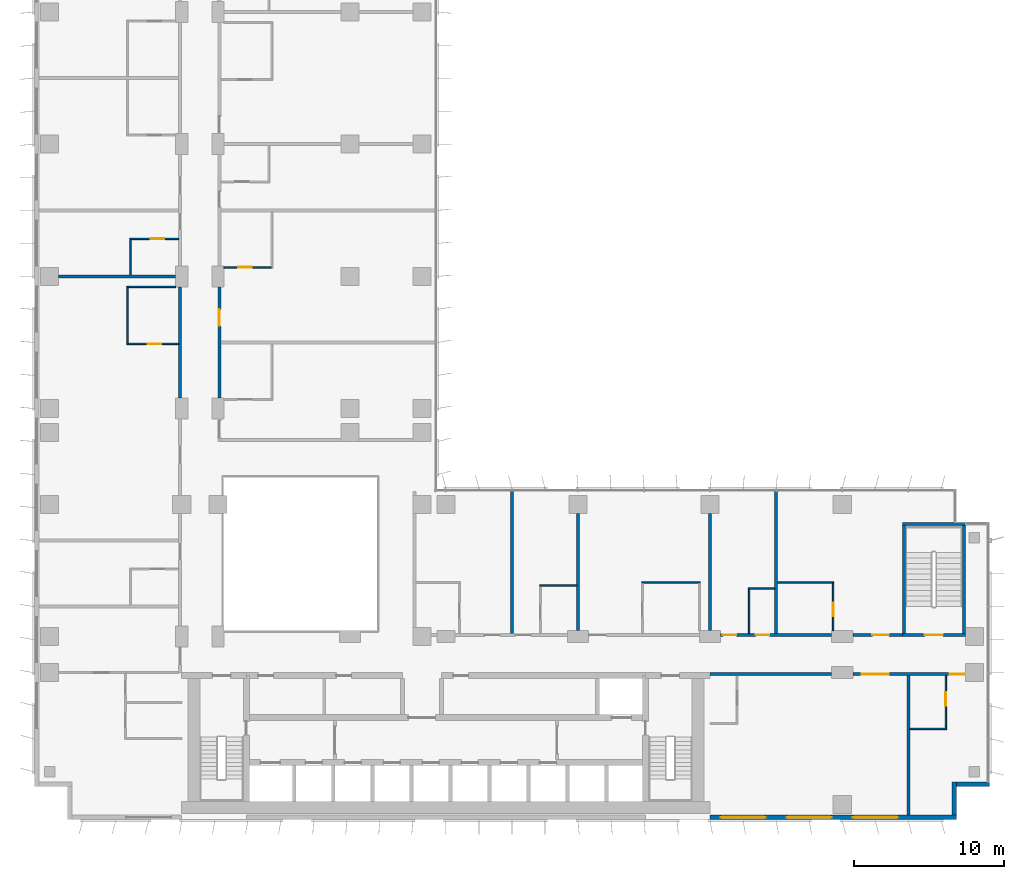
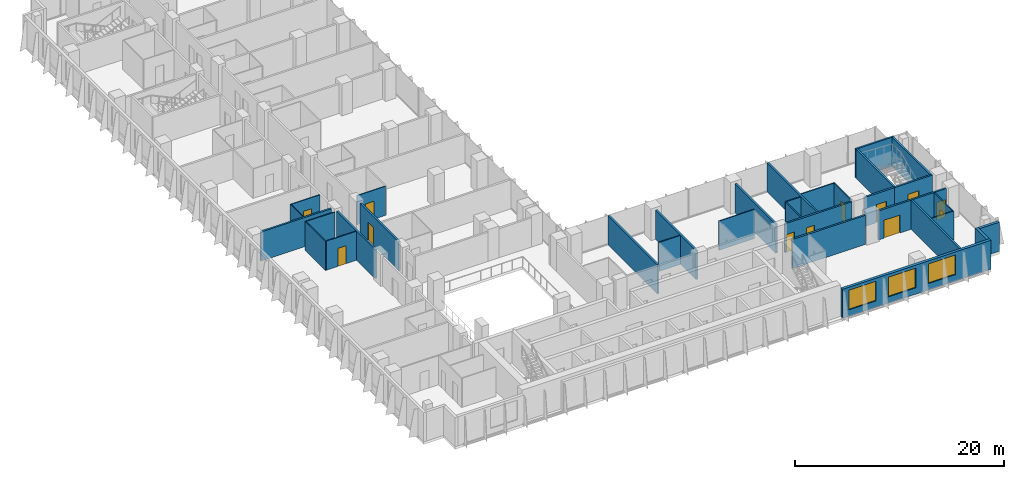
# One storey, part 14 of 22: 33 walls, 12 doors, 3 windows, 15 openings.
"""IFC4 building model written with IfcOpenShell, lengths in metres."""

import ifcopenshell
import ifcopenshell.guid

model = None  # the IFC model being written
_history = None  # IfcOwnerHistory: only IFC2X3 demands one
_inside = {}  # id of a spatial element -> (the spatial element, [elements in it])
_under = {}  # id of a project, library or spatial element -> (it, [spatial elements below it])
_declared = {}  # id of a project -> (the project, [libraries it declares])
_typed = {}  # id of a type object -> (the type object, [elements of that type])
_made_of = {}  # id of a material, layer set ... -> (it, [elements and type objects made of it])


def new_model(schema):
    """Start an empty IFC model of exactly this schema.

    Asked for "IFC4X3", IfcOpenShell would pick the latest addendum, in which some entities
    have other attributes; the version numbers below select the first issue.
    IFC2X3 requires an IfcOwnerHistory on every rooted entity: one is made here for all.
    """
    global model, _history
    if schema == "IFC4X3":
        model = ifcopenshell.file(schema_version=(4, 3, 0, 0))
    else:
        model = ifcopenshell.file(schema=schema)
    _inside.clear()
    _under.clear()
    _declared.clear()
    _typed.clear()
    _made_of.clear()
    _history = None
    if model.schema == "IFC2X3":
        org = make("IfcOrganization", Name="unknown")
        user = make(
            "IfcPersonAndOrganization",
            ThePerson=make("IfcPerson", FamilyName="unknown"),
            TheOrganization=org,
        )
        app = make(
            "IfcApplication",
            ApplicationDeveloper=org,
            Version="unknown",
            ApplicationFullName="unknown",
            ApplicationIdentifier="unknown",
        )
        _history = make(
            "IfcOwnerHistory",
            OwningUser=user,
            OwningApplication=app,
            ChangeAction="ADDED",
            CreationDate=0,
        )
    return model


def make(cls, **values):
    """One entity of the class cls with the attributes given. An attribute that is None is left unset."""
    return model.create_entity(
        cls, **{name: value for name, value in values.items() if value is not None}
    )


def rooted(cls, **values):
    """An entity with a GlobalId (a new one), such as an element, a storey or a relation."""
    return make(cls, GlobalId=ifcopenshell.guid.new(), OwnerHistory=_history, **values)


def si_unit(unit_type, name, prefix=None):
    """IfcSIUnit, for example si_unit("LENGTHUNIT", "METRE", prefix="MILLI")."""
    return make("IfcSIUnit", UnitType=unit_type, Prefix=prefix, Name=name)


def assignment(units):
    """IfcUnitAssignment: the units of a project."""
    return None if units is None else make("IfcUnitAssignment", Units=units)


def point(xyz):
    """IfcCartesianPoint."""
    return None if xyz is None else make("IfcCartesianPoint", Coordinates=xyz)


def direction(xyz):
    """IfcDirection."""
    return None if xyz is None else make("IfcDirection", DirectionRatios=xyz)


def frame(location, z_axis=None, x_axis=None):
    """IfcAxis2Placement3D, a coordinate frame: its origin and axes. An axis left out is left unset."""
    return make(
        "IfcAxis2Placement3D",
        Location=point(location),
        Axis=direction(z_axis),
        RefDirection=direction(x_axis),
    )


def frame_2d(location, x_axis=None):
    """IfcAxis2Placement2D, a coordinate frame in the plane: its origin and x axis."""
    return make(
        "IfcAxis2Placement2D", Location=point(location), RefDirection=direction(x_axis)
    )


def origin():
    """The frame at (0, 0, 0) with its axes left unset."""
    return frame((0.0, 0.0, 0.0))


def place(relative_to, where):
    """IfcLocalPlacement: puts the frame where relative to a parent placement (None: the world)."""
    return make(
        "IfcLocalPlacement", PlacementRelTo=relative_to, RelativePlacement=where
    )


def context(
    kind, dimensions, precision=None, world=None, true_north=None, identifier=None
):
    """IfcGeometricRepresentationContext, for example the 3D "Model" context."""
    return make(
        "IfcGeometricRepresentationContext",
        ContextIdentifier=identifier,
        ContextType=kind,
        CoordinateSpaceDimension=dimensions,
        Precision=precision,
        WorldCoordinateSystem=world,
        TrueNorth=true_north,
    )


def subcontext(parent, identifier, kind, view, scale=None):
    """IfcGeometricRepresentationSubContext, for example "Body" below "Model"."""
    return make(
        "IfcGeometricRepresentationSubContext",
        ContextIdentifier=identifier,
        ContextType=kind,
        ParentContext=parent,
        TargetScale=scale,
        TargetView=view,
    )


def project(units=None, contexts=None):
    """IfcProject with its units and contexts."""
    return rooted(
        "IfcProject",
        Name="project",
        RepresentationContexts=contexts,
        UnitsInContext=assignment(units),
    )


def spatial(cls, under=None, at=None, **own):
    """A site, building, storey or space (cls), placed at a placement, below another one or the project."""
    s = rooted(cls, ObjectPlacement=at, **own)
    if under is not None:
        _under.setdefault(under.id(), (under, []))[1].append(s)
    return s


def profile(cls, at=None, kind="AREA", **sizes):
    """A parametric profile (cls). Its sizes go by their IFC names, for example OverallWidth=200.0."""
    return make(cls, ProfileType=kind, Position=at, **sizes)


def rectangle(**sizes):
    """IfcRectangleProfileDef."""
    return profile("IfcRectangleProfileDef", **sizes)


def extrude(swept, where, along, depth):
    """IfcExtrudedAreaSolid: the profile swept, set in the frame where, extruded along a direction by depth."""
    return make(
        "IfcExtrudedAreaSolid",
        SweptArea=swept,
        Position=where,
        ExtrudedDirection=direction(along),
        Depth=depth,
    )


def shape(context_of_items, identifier, shape_type, items):
    """IfcShapeRepresentation: the items that make up one representation, for example the "Body"."""
    return make(
        "IfcShapeRepresentation",
        ContextOfItems=context_of_items,
        RepresentationIdentifier=identifier,
        RepresentationType=shape_type,
        Items=items,
    )


def material(Name=None, Category=None):
    """IfcMaterial."""
    return make("IfcMaterial", Name=Name, Category=Category)


def layer(
    of_material, thickness, ventilated=None, Name=None, Category=None, Priority=None
):
    """IfcMaterialLayer: one layer of a wall or slab, of a material (None: an air gap)."""
    return make(
        "IfcMaterialLayer",
        Material=of_material,
        LayerThickness=thickness,
        IsVentilated=ventilated,
        Name=Name,
        Category=Category,
        Priority=Priority,
    )


def layer_set(layers, Name=None):
    """IfcMaterialLayerSet."""
    return make("IfcMaterialLayerSet", MaterialLayers=layers, LayerSetName=Name)


def made_of(thing, what):
    """Note that an element or type object is made of a material, layer set ...; save() writes the relation."""
    if what is not None:
        _made_of.setdefault(what.id(), (what, []))[1].append(thing)
    return thing


def type_object(cls, material=None, **own):
    """A type object (cls), such as IfcWallType, which elements share."""
    return made_of(rooted(cls, **own), material)


def element(
    cls,
    number,
    at=None,
    inside=None,
    cuts=None,
    type_object=None,
    material=None,
    context=None,
    identifier="Body",
    shape_type=None,
    held_by="IfcProductDefinitionShape",
    body=None,
    shapes=None,
    **own,
):
    """One element of the class cls, such as IfcWall. Its Tag is "e" and its number.

    at: its placement. inside: the storey or other place that contains it. cuts: it is an
    opening in that element (IfcRelVoidsElement). A single representation is given by context,
    identifier, shape_type and body (its items); several are given by shapes. held_by: the class
    of the entity that holds the representations. save() writes the other relations.
    """
    e = rooted(cls, Tag="e%d" % number, ObjectPlacement=at, **own)
    if body is not None:
        shapes = [shape(context, identifier, shape_type, body)]
    if shapes is not None:
        e.Representation = make(held_by, Representations=shapes)
    if inside is not None:
        _inside.setdefault(inside.id(), (inside, []))[1].append(e)
    if cuts is not None:
        rooted(
            "IfcRelVoidsElement", RelatingBuildingElement=cuts, RelatedOpeningElement=e
        )
    if type_object is not None:
        _typed.setdefault(type_object.id(), (type_object, []))[1].append(e)
    return made_of(e, material)


def fill(opening, filler):
    """IfcRelFillsElement: the door or window that sits in an opening."""
    return rooted(
        "IfcRelFillsElement",
        RelatingOpeningElement=opening,
        RelatedBuildingElement=filler,
    )


def aggregate(whole, parts):
    """IfcRelAggregates: a whole, such as a stair, and the parts it consists of."""
    return rooted("IfcRelAggregates", RelatingObject=whole, RelatedObjects=parts)


def save(model, path):
    """Write the relations noted so far, then the file.

    IfcRelAggregates (storeys below a building ...), IfcRelContainedInSpatialStructure (elements
    in a storey), IfcRelDefinesByType, IfcRelAssociatesMaterial and IfcRelDeclares: one each for
    every whole, place, type object, material and project.
    """
    for whole, parts in _under.values():
        aggregate(whole, parts)
    for where, things in _inside.values():
        rooted(
            "IfcRelContainedInSpatialStructure",
            RelatedElements=things,
            RelatingStructure=where,
        )
    for kind, things in _typed.values():
        rooted("IfcRelDefinesByType", RelatedObjects=things, RelatingType=kind)
    for what, things in _made_of.values():
        rooted("IfcRelAssociatesMaterial", RelatedObjects=things, RelatingMaterial=what)
    for by, libraries in _declared.values():
        rooted("IfcRelDeclares", RelatingContext=by, RelatedDefinitions=libraries)
    model.write(path)


model = new_model("IFC4")

# Units and contexts
model_context = context("Model", 3, precision=1e-05, world=origin(), true_north=direction((0.0, 1.0)))
body_context = subcontext(model_context, "Body", "Model", "MODEL_VIEW")
ifc_project = project(units=[si_unit("LENGTHUNIT", "METRE"), si_unit("AREAUNIT", "SQUARE_METRE"), si_unit("VOLUMEUNIT", "CUBIC_METRE"), si_unit("PLANEANGLEUNIT", "RADIAN"), si_unit("MASSUNIT", "GRAM", prefix="KILO")], contexts=[model_context])

# Site, building, storey
site_placement = place(None, origin())
site = spatial("IfcSite", under=ifc_project, at=site_placement, CompositionType="ELEMENT")
building_placement = place(site_placement, origin())
building = spatial("IfcBuilding", under=site, at=building_placement, Name="Kemantara Hotel Tower", CompositionType="ELEMENT")
storey_placement = place(building_placement, frame((0.0, 0.0, 94.5)))
storey = spatial("IfcBuildingStorey", under=building, at=storey_placement, Name="L22", CompositionType="ELEMENT", Elevation=94.5)

# Wall, openings, windows
ifc_material_1 = material(Name="Bronze anodised aluminium cladding on insulated steel stud wall", Category="steel")
ifc_layer_1 = layer(ifc_material_1, 0.300048828125)
ifc_layer_set_1 = layer_set([ifc_layer_1], Name="Bronze anodised aluminium cladding on insulated steel stud wall")
wall_type_1 = type_object("IfcWallType", Name="BRONZE METAL-CLAD EXTERNAL WALL 300", PredefinedType="STANDARD", material=ifc_layer_set_1)
wall_1_placement = place(storey_placement, frame((45.0, 0.14990234375, 0.0), z_axis=(0.0, 0.0, 1.0), x_axis=(1.0, 0.0, 0.0)))
wall_1 = element("IfcWall", 1, at=wall_1_placement, inside=storey, type_object=wall_type_1, Name="EXTERNAL WALL L22 T2-R07-3", PredefinedType="STANDARD", context=body_context, shape_type="SweptSolid", body=[
    extrude(rectangle(XDim=16.39990234375, YDim=0.300048828125, at=frame_2d((8.199951171875, 0.0))), origin(), (0.0, 0.0, 1.0), 3.39990234375),
])
opening_1_placement = place(wall_1_placement, frame((0.699951171875, 0.0, 0.75)))
opening_1 = element("IfcOpeningElement", 2, at=opening_1_placement, cuts=wall_1, Name="Opening W1", PredefinedType="OPENING", context=body_context, shape_type="SweptSolid", body=[
    extrude(rectangle(XDim=3.0, YDim=2.300048828125, at=frame_2d((1.5, 1.14990234375))), frame((0.0, 0.159912109375, 0.0), z_axis=(0.0, -1.0, 0.0), x_axis=(1.0, 0.0, 0.0)), (0.0, 0.0, 1.0), 0.320068359375),
])
opening_2_placement = place(wall_1_placement, frame((5.10009765625, 0.0, 0.75)))
opening_2 = element("IfcOpeningElement", 3, at=opening_2_placement, cuts=wall_1, Name="Opening W1", PredefinedType="OPENING", context=body_context, shape_type="SweptSolid", body=[
    extrude(rectangle(XDim=3.0, YDim=2.300048828125, at=frame_2d((1.5, 1.14990234375))), frame((0.0, 0.159912109375, 0.0), z_axis=(0.0, -1.0, 0.0), x_axis=(1.0, 0.0, 0.0)), (0.0, 0.0, 1.0), 0.320068359375),
])
opening_3_placement = place(wall_1_placement, frame((9.5, 0.0, 0.75)))
opening_3 = element("IfcOpeningElement", 4, at=opening_3_placement, cuts=wall_1, Name="Opening W1", PredefinedType="OPENING", context=body_context, shape_type="SweptSolid", body=[
    extrude(rectangle(XDim=3.0, YDim=2.300048828125, at=frame_2d((1.5, 1.14990234375))), frame((0.0, 0.159912109375, 0.0), z_axis=(0.0, -1.0, 0.0), x_axis=(1.0, 0.0, 0.0)), (0.0, 0.0, 1.0), 0.320068359375),
])
ifc_material_2 = material(Name="Low-E tinted double insulated glass in bronze anodised aluminium frame", Category="aluminium")
window_type = type_object("IfcWindowType", Name="CHICAGO WINDOW, TRIPLE PANEL 3000x2300", PartitioningType="TRIPLE_PANEL_VERTICAL", PredefinedType="WINDOW", material=ifc_material_2)
window_1_placement = place(opening_1_placement, origin())
window_1 = element("IfcWindow", 5, at=window_1_placement, inside=storey, type_object=window_type, Name="CHICAGO WINDOW L22 T2-R07-450", OverallHeight=2.300048828125, OverallWidth=3.0, PartitioningType="SINGLE_PANEL", PredefinedType="WINDOW", context=body_context, shape_type="SweptSolid", body=[
    extrude(rectangle(XDim=3.0, YDim=2.300048828125, at=frame_2d((1.5, 1.14990234375))), frame((0.0, 0.030029296875, 0.0), z_axis=(0.0, -1.0, 0.0), x_axis=(1.0, 0.0, 0.0)), (0.0, 0.0, 1.0), 0.06005859375),
])
fill(opening_1, window_1)
window_2_placement = place(opening_2_placement, origin())
window_2 = element("IfcWindow", 6, at=window_2_placement, inside=storey, type_object=window_type, Name="CHICAGO WINDOW L22 T2-R07-494", OverallHeight=2.300048828125, OverallWidth=3.0, PartitioningType="SINGLE_PANEL", PredefinedType="WINDOW", context=body_context, shape_type="SweptSolid", body=[
    extrude(rectangle(XDim=3.0, YDim=2.300048828125, at=frame_2d((1.5, 1.14990234375))), frame((0.0, 0.030029296875, 0.0), z_axis=(0.0, -1.0, 0.0), x_axis=(1.0, 0.0, 0.0)), (0.0, 0.0, 1.0), 0.06005859375),
])
fill(opening_2, window_2)
window_3_placement = place(opening_3_placement, origin())
window_3 = element("IfcWindow", 7, at=window_3_placement, inside=storey, type_object=window_type, Name="CHICAGO WINDOW L22 T2-R07-538", OverallHeight=2.300048828125, OverallWidth=3.0, PartitioningType="SINGLE_PANEL", PredefinedType="WINDOW", context=body_context, shape_type="SweptSolid", body=[
    extrude(rectangle(XDim=3.0, YDim=2.300048828125, at=frame_2d((1.5, 1.14990234375))), frame((0.0, 0.030029296875, 0.0), z_axis=(0.0, -1.0, 0.0), x_axis=(1.0, 0.0, 0.0)), (0.0, 0.0, 1.0), 0.06005859375),
])
fill(opening_3, window_3)

# Walls
wall_2_placement = place(storey_placement, frame((61.25, 0.300048828125, 0.0), z_axis=(0.0, 0.0, 1.0), x_axis=(0.0, 1.0, 0.0)))
element("IfcWall", 8, at=wall_2_placement, inside=storey, type_object=wall_type_1, Name="EXTERNAL WALL L22 T2-R08", PredefinedType="STANDARD", context=body_context, shape_type="SweptSolid", body=[
    extrude(rectangle(XDim=2.199951171875, YDim=0.300048828125, at=frame_2d((1.10009765625, 0.0))), origin(), (0.0, 0.0, 1.0), 3.39990234375),
])
wall_3_placement = place(storey_placement, frame((61.39990234375, 2.35009765625, 0.0), z_axis=(0.0, 0.0, 1.0), x_axis=(1.0, 0.0, 0.0)))
element("IfcWall", 9, at=wall_3_placement, inside=storey, type_object=wall_type_1, Name="EXTERNAL WALL L22 T2-R09", PredefinedType="STANDARD", context=body_context, shape_type="SweptSolid", body=[
    extrude(rectangle(XDim=2.2001953125, YDim=0.300048828125, at=frame_2d((1.10009765625, 0.0))), origin(), (0.0, 0.0, 1.0), 3.39990234375),
])
ifc_material_3 = material(Name="Gypsum board partition, steel studs and mineral wool, 200 mm", Category="steel")
ifc_layer_2 = layer(ifc_material_3, 0.199951171875)
ifc_layer_set_2 = layer_set([ifc_layer_2], Name="Gypsum board partition, steel studs and mineral wool, 200 mm")
wall_type_2 = type_object("IfcWallType", Name="CORRIDOR WALL 200", PredefinedType="PARTITIONING", material=ifc_layer_set_2)
wall_4_placement = place(storey_placement, frame((45.0, 9.699951171875, 0.0), z_axis=(0.0, 0.0, 1.0), x_axis=(1.0, 0.0, 0.0)))
element("IfcWall", 10, at=wall_4_placement, inside=storey, type_object=wall_type_2, Name="CORRIDOR WALL 200 001", PredefinedType="PARTITIONING", context=body_context, shape_type="SweptSolid", body=[
    extrude(rectangle(XDim=8.099853515625, YDim=0.199951171875, at=frame_2d((4.0498046875, 0.0))), origin(), (0.0, 0.0, 1.0), 3.39990234375),
])

# Wall, openings, doors
wall_5_placement = place(storey_placement, frame((62.0, 9.699951171875, 0.0), z_axis=(0.0, 0.0, 1.0), x_axis=(-1.0, 0.0, 0.0)))
wall_5 = element("IfcWall", 11, at=wall_5_placement, inside=storey, type_object=wall_type_2, Name="CORRIDOR WALL 200 002", PredefinedType="PARTITIONING", context=body_context, shape_type="SweptSolid", body=[
    extrude(rectangle(XDim=7.5, YDim=0.199951171875, at=frame_2d((3.75, 0.0))), origin(), (0.0, 0.0, 1.0), 3.39990234375),
])
opening_4_placement = place(wall_5_placement, frame((5.099853515625, 0.0, 0.0)))
opening_4 = element("IfcOpeningElement", 12, at=opening_4_placement, cuts=wall_5, Name="Opening F08-001", PredefinedType="OPENING", context=body_context, shape_type="SweptSolid", body=[
    extrude(rectangle(XDim=1.800048828125, YDim=2.10009765625, at=frame_2d((0.89990234375, 1.050048828125))), frame((0.0, 0.10986328125, 0.0), z_axis=(0.0, -1.0, 0.0), x_axis=(1.0, 0.0, 0.0)), (0.0, 0.0, 1.0), 0.219970703125),
])
opening_5_placement = place(wall_5_placement, frame((0.0498046875, 0.0, 0.0)))
opening_5 = element("IfcOpeningElement", 13, at=opening_5_placement, cuts=wall_5, Name="Opening F08-003", PredefinedType="OPENING", context=body_context, shape_type="SweptSolid", body=[
    extrude(rectangle(XDim=1.0, YDim=2.10009765625, at=frame_2d((0.5, 1.050048828125))), frame((0.0, 0.10986328125, 0.0), z_axis=(0.0, -1.0, 0.0), x_axis=(1.0, 0.0, 0.0)), (0.0, 0.0, 1.0), 0.219970703125),
])
ifc_material_4 = material(Name="Hardwood veneer door leaf with steel frame", Category="steel")
door_type_1 = type_object("IfcDoorType", Name="AMENITY ROOM DOOR 1800 X 2100 FD30S", OperationType="NOTDEFINED", PredefinedType="DOOR", material=ifc_material_4)
door_1_placement = place(opening_4_placement, origin())
door_1 = element("IfcDoor", 14, at=door_1_placement, inside=storey, type_object=door_type_1, Name="AMENITY ROOM DOOR F08-001", OperationType="DOUBLE_DOOR_SINGLE_SWING", OverallHeight=2.10009765625, OverallWidth=1.800048828125, PredefinedType="DOOR", context=body_context, shape_type="SweptSolid", body=[
    extrude(rectangle(XDim=1.800048828125, YDim=2.10009765625, at=frame_2d((0.89990234375, 1.050048828125))), frame((0.0, 0.02490234375, 0.0), z_axis=(0.0, -1.0, 0.0), x_axis=(1.0, 0.0, 0.0)), (0.0, 0.0, 1.0), 0.050048828125),
])
fill(opening_4, door_1)
door_type_2 = type_object("IfcDoorType", Name="GUEST ROOM DOOR 1000 X 2100 FD30S", OperationType="NOTDEFINED", PredefinedType="DOOR", material=ifc_material_4)
door_2_placement = place(opening_5_placement, origin())
door_2 = element("IfcDoor", 15, at=door_2_placement, inside=storey, type_object=door_type_2, Name="GUEST ROOM DOOR F08-003", OperationType="SINGLE_SWING_LEFT", OverallHeight=2.10009765625, OverallWidth=1.0, PredefinedType="DOOR", context=body_context, shape_type="SweptSolid", body=[
    extrude(rectangle(XDim=1.0, YDim=2.10009765625, at=frame_2d((0.5, 1.050048828125))), frame((0.0, 0.02490234375, 0.0), z_axis=(0.0, -1.0, 0.0), x_axis=(1.0, 0.0, 0.0)), (0.0, 0.0, 1.0), 0.050048828125),
])
fill(opening_5, door_2)

wall_6_placement = place(storey_placement, frame((45.7001953125, 12.300048828125, 0.0), z_axis=(0.0, 0.0, 1.0), x_axis=(1.0, 0.0, 0.0)))
wall_6 = element("IfcWall", 16, at=wall_6_placement, inside=storey, type_object=wall_type_2, Name="CORRIDOR WALL 200 007", PredefinedType="PARTITIONING", context=body_context, shape_type="SweptSolid", body=[
    extrude(rectangle(XDim=7.399658203125, YDim=0.199951171875, at=frame_2d((3.69970703125, 0.0))), origin(), (0.0, 0.0, 1.0), 3.39990234375),
])
opening_6_placement = place(wall_6_placement, frame((0.14990234375, 0.0, 0.0)))
opening_6 = element("IfcOpeningElement", 17, at=opening_6_placement, cuts=wall_6, Name="Opening F08-011", PredefinedType="OPENING", context=body_context, shape_type="SweptSolid", body=[
    extrude(rectangle(XDim=0.89990234375, YDim=2.10009765625, at=frame_2d((0.449951171875, 1.050048828125))), frame((0.0, 0.10986328125, 0.0), z_axis=(0.0, -1.0, 0.0), x_axis=(1.0, 0.0, 0.0)), (0.0, 0.0, 1.0), 0.219970703125),
])
opening_7_placement = place(wall_6_placement, frame((2.349853515625, 0.0, 0.0)))
opening_7 = element("IfcOpeningElement", 18, at=opening_7_placement, cuts=wall_6, Name="Opening F08-012", PredefinedType="OPENING", context=body_context, shape_type="SweptSolid", body=[
    extrude(rectangle(XDim=0.89990234375, YDim=2.10009765625, at=frame_2d((0.449951171875, 1.050048828125))), frame((0.0, 0.10986328125, 0.0), z_axis=(0.0, -1.0, 0.0), x_axis=(1.0, 0.0, 0.0)), (0.0, 0.0, 1.0), 0.219970703125),
])
ifc_material_5 = material(Name="Steel door leaf with steel frame", Category="steel")
door_type_3 = type_object("IfcDoorType", Name="SERVICE ROOM DOOR 900 X 2100 FD60", OperationType="NOTDEFINED", PredefinedType="DOOR", material=ifc_material_5)
door_3_placement = place(opening_6_placement, origin())
door_3 = element("IfcDoor", 19, at=door_3_placement, inside=storey, type_object=door_type_3, Name="SERVICE ROOM DOOR F08-011", OperationType="SINGLE_SWING_LEFT", OverallHeight=2.10009765625, OverallWidth=0.89990234375, PredefinedType="DOOR", context=body_context, shape_type="SweptSolid", body=[
    extrude(rectangle(XDim=0.89990234375, YDim=2.10009765625, at=frame_2d((0.449951171875, 1.050048828125))), frame((0.0, 0.02490234375, 0.0), z_axis=(0.0, -1.0, 0.0), x_axis=(1.0, 0.0, 0.0)), (0.0, 0.0, 1.0), 0.050048828125),
])
fill(opening_6, door_3)
door_4_placement = place(opening_7_placement, origin())
door_4 = element("IfcDoor", 20, at=door_4_placement, inside=storey, type_object=door_type_3, Name="SERVICE ROOM DOOR F08-012", OperationType="SINGLE_SWING_RIGHT", OverallHeight=2.10009765625, OverallWidth=0.89990234375, PredefinedType="DOOR", context=body_context, shape_type="SweptSolid", body=[
    extrude(rectangle(XDim=0.89990234375, YDim=2.10009765625, at=frame_2d((0.449951171875, 1.050048828125))), frame((0.0, 0.02490234375, 0.0), z_axis=(0.0, -1.0, 0.0), x_axis=(1.0, 0.0, 0.0)), (0.0, 0.0, 1.0), 0.050048828125),
])
fill(opening_7, door_4)

# Wall, opening, door
wall_7_placement = place(storey_placement, frame((54.5, 12.300048828125, 0.0), z_axis=(0.0, 0.0, 1.0), x_axis=(1.0, 0.0, 0.0)))
wall_7 = element("IfcWall", 21, at=wall_7_placement, inside=storey, type_object=wall_type_2, Name="CORRIDOR WALL 200 008", PredefinedType="PARTITIONING", context=body_context, shape_type="SweptSolid", body=[
    extrude(rectangle(XDim=3.300048828125, YDim=0.199951171875, at=frame_2d((1.64990234375, 0.0))), origin(), (0.0, 0.0, 1.0), 3.39990234375),
])
opening_8_placement = place(wall_7_placement, frame((1.2998046875, 0.0, 0.0)))
opening_8 = element("IfcOpeningElement", 22, at=opening_8_placement, cuts=wall_7, Name="Opening F08-013", PredefinedType="OPENING", context=body_context, shape_type="SweptSolid", body=[
    extrude(rectangle(XDim=1.10009765625, YDim=2.10009765625, at=frame_2d((0.550048828125, 1.050048828125))), frame((0.0, 0.10986328125, 0.0), z_axis=(0.0, -1.0, 0.0), x_axis=(1.0, 0.0, 0.0)), (0.0, 0.0, 1.0), 0.219970703125),
])
door_type_4 = type_object("IfcDoorType", Name="SUITE ENTRANCE DOOR 1100 X 2100 FD30S", OperationType="NOTDEFINED", PredefinedType="DOOR", material=ifc_material_4)
door_5_placement = place(opening_8_placement, origin())
door_5 = element("IfcDoor", 23, at=door_5_placement, inside=storey, type_object=door_type_4, Name="SUITE ENTRANCE DOOR F08-013", OperationType="SINGLE_SWING_RIGHT", OverallHeight=2.10009765625, OverallWidth=1.10009765625, PredefinedType="DOOR", context=body_context, shape_type="SweptSolid", body=[
    extrude(rectangle(XDim=1.10009765625, YDim=2.10009765625, at=frame_2d((0.550048828125, 1.050048828125))), frame((0.0, 0.02490234375, 0.0), z_axis=(0.0, -1.0, 0.0), x_axis=(1.0, 0.0, 0.0)), (0.0, 0.0, 1.0), 0.050048828125),
])
fill(opening_8, door_5)

# Wall
wall_8_placement = place(storey_placement, frame((9.699951171875, 28.10009765625, 0.0), z_axis=(0.0, 0.0, 1.0), x_axis=(0.0, 1.0, 0.0)))
element("IfcWall", 24, at=wall_8_placement, inside=storey, type_object=wall_type_2, Name="CORRIDOR WALL 200 018", PredefinedType="PARTITIONING", context=body_context, shape_type="SweptSolid", body=[
    extrude(rectangle(XDim=7.39990234375, YDim=0.199951171875, at=frame_2d((3.699951171875, 0.0))), origin(), (0.0, 0.0, 1.0), 3.39990234375),
])

# Wall, opening, door
wall_9_placement = place(storey_placement, frame((12.300048828125, 35.5, 0.0), z_axis=(0.0, 0.0, 1.0), x_axis=(0.0, -1.0, 0.0)))
wall_9 = element("IfcWall", 25, at=wall_9_placement, inside=storey, type_object=wall_type_2, Name="CORRIDOR WALL 200 031", PredefinedType="PARTITIONING", context=body_context, shape_type="SweptSolid", body=[
    extrude(rectangle(XDim=7.39990234375, YDim=0.199951171875, at=frame_2d((3.699951171875, 0.0))), origin(), (0.0, 0.0, 1.0), 3.39990234375),
])
opening_9_placement = place(wall_9_placement, frame((1.5, 0.0, 0.0)))
opening_9 = element("IfcOpeningElement", 26, at=opening_9_placement, cuts=wall_9, Name="Opening F08-035", PredefinedType="OPENING", context=body_context, shape_type="SweptSolid", body=[
    extrude(rectangle(XDim=1.10009765625, YDim=2.10009765625, at=frame_2d((0.550048828125, 1.050048828125))), frame((0.0, 0.10986328125, 0.0), z_axis=(0.0, -1.0, 0.0), x_axis=(1.0, 0.0, 0.0)), (0.0, 0.0, 1.0), 0.219970703125),
])
door_6_placement = place(opening_9_placement, origin())
door_6 = element("IfcDoor", 27, at=door_6_placement, inside=storey, type_object=door_type_4, Name="SUITE ENTRANCE DOOR F08-035", OperationType="SINGLE_SWING_RIGHT", OverallHeight=2.10009765625, OverallWidth=1.10009765625, PredefinedType="DOOR", context=body_context, shape_type="SweptSolid", body=[
    extrude(rectangle(XDim=1.10009765625, YDim=2.10009765625, at=frame_2d((0.550048828125, 1.050048828125))), frame((0.0, 0.02490234375, 0.0), z_axis=(0.0, -1.0, 0.0), x_axis=(1.0, 0.0, 0.0)), (0.0, 0.0, 1.0), 0.050048828125),
])
fill(opening_9, door_6)

ifc_material_6 = material(Name="Concrete fc 40 MPa", Category="concrete")
ifc_layer_3 = layer(ifc_material_6, 0.199951171875)
ifc_layer_set_3 = layer_set([ifc_layer_3], Name="Concrete fc 40 MPa")
wall_type_3 = type_object("IfcWallType", Name="Concrete stair wall 200 mm", PredefinedType="SHEAR", material=ifc_layer_set_3)
wall_10_placement = place(storey_placement, frame((57.800048828125, 12.300048828125, 0.0), z_axis=(0.0, 0.0, 1.0), x_axis=(1.0, 0.0, 0.0)))
wall_10 = element("IfcWall", 28, at=wall_10_placement, inside=storey, type_object=wall_type_3, Name="Stair ST3 enclosure wall with door", PredefinedType="SHEAR", context=body_context, shape_type="SweptSolid", body=[
    extrude(rectangle(XDim=4.199951171875, YDim=0.199951171875, at=frame_2d((2.10009765625, 0.0))), origin(), (0.0, 0.0, 1.0), 3.39990234375),
])
opening_10_placement = place(wall_10_placement, frame((1.5, 0.0, 0.0)))
opening_10 = element("IfcOpeningElement", 29, at=opening_10_placement, cuts=wall_10, Name="Opening ST3-C", PredefinedType="OPENING", context=body_context, shape_type="SweptSolid", body=[
    extrude(rectangle(XDim=1.199951171875, YDim=2.10009765625, at=frame_2d((0.60009765625, 1.050048828125))), frame((0.0, 0.10986328125, 0.0), z_axis=(0.0, -1.0, 0.0), x_axis=(1.0, 0.0, 0.0)), (0.0, 0.0, 1.0), 0.219970703125),
])
ifc_material_7 = material(Name="Steel fire door", Category="steel")
door_type_5 = type_object("IfcDoorType", Name="Fire door FD90 1200 x 2100", OperationType="NOTDEFINED", PredefinedType="DOOR", material=ifc_material_7)
door_7_placement = place(opening_10_placement, origin())
door_7 = element("IfcDoor", 30, at=door_7_placement, inside=storey, type_object=door_type_5, Name="Stair ST3 door", OperationType="SINGLE_SWING_RIGHT", OverallHeight=2.10009765625, OverallWidth=1.199951171875, PredefinedType="DOOR", context=body_context, shape_type="SweptSolid", body=[
    extrude(rectangle(XDim=1.199951171875, YDim=2.10009765625, at=frame_2d((0.60009765625, 1.050048828125))), frame((0.0, 0.02490234375, 0.0), z_axis=(0.0, -1.0, 0.0), x_axis=(1.0, 0.0, 0.0)), (0.0, 0.0, 1.0), 0.050048828125),
])
fill(opening_10, door_7)

# Walls
wall_11_placement = place(storey_placement, frame((57.800048828125, 19.699951171875, 0.0), z_axis=(0.0, 0.0, 1.0), x_axis=(1.0, 0.0, 0.0)))
element("IfcWall", 31, at=wall_11_placement, inside=storey, type_object=wall_type_3, Name="Stair ST3 enclosure wall N", PredefinedType="SHEAR", context=body_context, shape_type="SweptSolid", body=[
    extrude(rectangle(XDim=4.199951171875, YDim=0.199951171875, at=frame_2d((2.10009765625, 0.0))), origin(), (0.0, 0.0, 1.0), 3.39990234375),
])
for number, where, z_axis, x_axis, name in (
    (32, (57.89990234375, 12.39990234375, 0.0), (0.0, 0.0, 1.0), (0.0, 1.0, 0.0), "Stair ST3 enclosure wall W"),
    (33, (61.89990234375, 12.39990234375, 0.0), (0.0, 0.0, 1.0), (0.0, 1.0, 0.0), "Stair ST3 enclosure wall E"),
):
    element("IfcWall", number, at=place(storey_placement, frame(where, z_axis=z_axis, x_axis=x_axis)), inside=storey, type_object=wall_type_3, Name=name, PredefinedType="SHEAR", context=body_context, shape_type="SweptSolid", body=[
        extrude(rectangle(XDim=7.2001953125, YDim=0.199951171875, at=frame_2d((3.60009765625, 0.0))), origin(), (0.0, 0.0, 1.0), 3.39990234375),
    ])
ifc_layer_4 = layer(ifc_material_3, 0.199951171875)
ifc_layer_set_4 = layer_set([ifc_layer_4], Name="Gypsum board partition, steel studs and mineral wool, 200 mm")
wall_type_4 = type_object("IfcWallType", Name="GUEST ROOM PARTY WALL 200", PredefinedType="PARTITIONING", material=ifc_layer_set_4)
wall_12_placement = place(storey_placement, frame((58.199951171875, 0.31005859375, 0.0), z_axis=(0.0, 0.0, 1.0), x_axis=(0.0, 1.0, 0.0)))
element("IfcWall", 34, at=wall_12_placement, inside=storey, type_object=wall_type_4, Name="GUEST ROOM PARTY WALL 200 003", PredefinedType="PARTITIONING", context=body_context, shape_type="SweptSolid", body=[
    extrude(rectangle(XDim=9.2900390625, YDim=0.199951171875, at=frame_2d((4.64501953125, 0.0))), origin(), (0.0, 0.0, 1.0), 3.39990234375),
])
wall_13_placement = place(storey_placement, frame((31.800048828125, 12.39990234375, 0.0), z_axis=(0.0, 0.0, 1.0), x_axis=(0.0, 1.0, 0.0)))
element("IfcWall", 35, at=wall_13_placement, inside=storey, type_object=wall_type_4, Name="GUEST ROOM PARTY WALL 200 011", PredefinedType="PARTITIONING", context=body_context, shape_type="SweptSolid", body=[
    extrude(rectangle(XDim=9.47021484375, YDim=0.199951171875, at=frame_2d((4.735107421875, 0.0))), origin(), (0.0, 0.0, 1.0), 3.39990234375),
])
for number, where, z_axis, x_axis, name in (
    (36, (36.199951171875, 12.60009765625, 0.0), (0.0, 0.0, 1.0), (0.0, 1.0, 0.0), "GUEST ROOM PARTY WALL 200 012"),
    (37, (45.0, 12.60009765625, 0.0), (0.0, 0.0, 1.0), (0.0, 1.0, 0.0), "GUEST ROOM PARTY WALL 200 013"),
):
    element("IfcWall", number, at=place(storey_placement, frame(where, z_axis=z_axis, x_axis=x_axis)), inside=storey, type_object=wall_type_4, Name=name, PredefinedType="PARTITIONING", context=body_context, shape_type="SweptSolid", body=[
        extrude(rectangle(XDim=7.7998046875, YDim=0.199951171875, at=frame_2d((3.89990234375, 0.0))), origin(), (0.0, 0.0, 1.0), 3.39990234375),
    ])
wall_14_placement = place(storey_placement, frame((49.39990234375, 12.39990234375, 0.0), z_axis=(0.0, 0.0, 1.0), x_axis=(0.0, 1.0, 0.0)))
element("IfcWall", 38, at=wall_14_placement, inside=storey, type_object=wall_type_4, Name="GUEST ROOM PARTY WALL 200 014", PredefinedType="PARTITIONING", context=body_context, shape_type="SweptSolid", body=[
    extrude(rectangle(XDim=9.47021484375, YDim=0.199951171875, at=frame_2d((4.735107421875, 0.0))), origin(), (0.0, 0.0, 1.0), 3.39990234375),
])
wall_15_placement = place(storey_placement, frame((1.60009765625, 36.199951171875, 0.0), z_axis=(0.0, 0.0, 1.0), x_axis=(1.0, 0.0, 0.0)))
element("IfcWall", 39, at=wall_15_placement, inside=storey, type_object=wall_type_4, Name="GUEST ROOM PARTY WALL 200 026", PredefinedType="PARTITIONING", context=body_context, shape_type="SweptSolid", body=[
    extrude(rectangle(XDim=7.7998046875, YDim=0.199951171875, at=frame_2d((3.89990234375, 0.0))), origin(), (0.0, 0.0, 1.0), 3.39990234375),
])
ifc_material_8 = material(Name="Gypsum board partition on steel studs, 100 mm", Category="steel")
ifc_layer_5 = layer(ifc_material_8, 0.10009765625)
ifc_layer_set_5 = layer_set([ifc_layer_5], Name="Gypsum board partition on steel studs, 100 mm")
wall_type_5 = type_object("IfcWallType", Name="ROOM PARTITION 100", PredefinedType="PARTITIONING", material=ifc_layer_set_5)
wall_16_placement = place(storey_placement, frame((58.300048828125, 6.050048828125, 0.0), z_axis=(0.0, 0.0, 1.0), x_axis=(1.0, 0.0, 0.0)))
element("IfcWall", 40, at=wall_16_placement, inside=storey, type_object=wall_type_5, Name="ROOM PARTITION 100 052", PredefinedType="PARTITIONING", context=body_context, shape_type="SweptSolid", body=[
    extrude(rectangle(XDim=2.449951171875, YDim=0.10009765625, at=frame_2d((1.22509765625, 0.0))), origin(), (0.0, 0.0, 1.0), 3.39990234375),
])

# Wall, opening, door
wall_17_placement = place(storey_placement, frame((60.699951171875, 6.10009765625, 0.0), z_axis=(0.0, 0.0, 1.0), x_axis=(0.0, 1.0, 0.0)))
wall_17 = element("IfcWall", 41, at=wall_17_placement, inside=storey, type_object=wall_type_5, Name="ROOM PARTITION 100 053", PredefinedType="PARTITIONING", context=body_context, shape_type="SweptSolid", body=[
    extrude(rectangle(XDim=3.5, YDim=0.10009765625, at=frame_2d((1.75, 0.0))), origin(), (0.0, 0.0, 1.0), 3.39990234375),
])
opening_11_placement = place(wall_17_placement, frame((1.5, 0.0, 0.0)))
opening_11 = element("IfcOpeningElement", 42, at=opening_11_placement, cuts=wall_17, Name="Opening F08-004", PredefinedType="OPENING", context=body_context, shape_type="SweptSolid", body=[
    extrude(rectangle(XDim=0.89990234375, YDim=2.10009765625, at=frame_2d((0.449951171875, 1.050048828125))), frame((0.0, 0.06005859375, 0.0), z_axis=(0.0, -1.0, 0.0), x_axis=(1.0, 0.0, 0.0)), (0.0, 0.0, 1.0), 0.1201171875),
])
door_type_6 = type_object("IfcDoorType", Name="BATHROOM DOOR 900 X 2100", OperationType="NOTDEFINED", PredefinedType="DOOR", material=ifc_material_4)
door_8_placement = place(opening_11_placement, origin())
door_8 = element("IfcDoor", 43, at=door_8_placement, inside=storey, type_object=door_type_6, Name="BATHROOM DOOR F08-004", OperationType="SINGLE_SWING_RIGHT", OverallHeight=2.10009765625, OverallWidth=0.89990234375, PredefinedType="DOOR", context=body_context, shape_type="SweptSolid", body=[
    extrude(rectangle(XDim=0.89990234375, YDim=2.10009765625, at=frame_2d((0.449951171875, 1.050048828125))), frame((0.0, 0.02490234375, 0.0), z_axis=(0.0, -1.0, 0.0), x_axis=(1.0, 0.0, 0.0)), (0.0, 0.0, 1.0), 0.050048828125),
])
fill(opening_11, door_8)

# Walls
wall_18_placement = place(storey_placement, frame((40.449951171875, 15.800048828125, 0.0), z_axis=(0.0, 0.0, 1.0), x_axis=(1.0, 0.0, 0.0)))
element("IfcWall", 44, at=wall_18_placement, inside=storey, type_object=wall_type_5, Name="ROOM PARTITION 100 055", PredefinedType="PARTITIONING", context=body_context, shape_type="SweptSolid", body=[
    extrude(rectangle(XDim=3.900146484375, YDim=0.10009765625, at=frame_2d((1.9501953125, 0.0))), origin(), (0.0, 0.0, 1.0), 3.39990234375),
])
wall_19_placement = place(storey_placement, frame((49.5, 15.800048828125, 0.0), z_axis=(0.0, 0.0, 1.0), x_axis=(1.0, 0.0, 0.0)))
element("IfcWall", 45, at=wall_19_placement, inside=storey, type_object=wall_type_5, Name="ROOM PARTITION 100 056", PredefinedType="PARTITIONING", context=body_context, shape_type="SweptSolid", body=[
    extrude(rectangle(XDim=3.75, YDim=0.10009765625, at=frame_2d((1.875, 0.0))), origin(), (0.0, 0.0, 1.0), 3.39990234375),
])
wall_20_placement = place(storey_placement, frame((33.64990234375, 15.60009765625, 0.0), z_axis=(0.0, 0.0, 1.0), x_axis=(1.0, 0.0, 0.0)))
element("IfcWall", 46, at=wall_20_placement, inside=storey, type_object=wall_type_5, Name="ROOM PARTITION 100 058", PredefinedType="PARTITIONING", context=body_context, shape_type="SweptSolid", body=[
    extrude(rectangle(XDim=2.4501953125, YDim=0.10009765625, at=frame_2d((1.22509765625, 0.0))), origin(), (0.0, 0.0, 1.0), 3.39990234375),
])
wall_21_placement = place(storey_placement, frame((47.550048828125, 15.39990234375, 0.0), z_axis=(0.0, 0.0, 1.0), x_axis=(1.0, 0.0, 0.0)))
element("IfcWall", 47, at=wall_21_placement, inside=storey, type_object=wall_type_5, Name="ROOM PARTITION 100 062", PredefinedType="PARTITIONING", context=body_context, shape_type="SweptSolid", body=[
    extrude(rectangle(XDim=1.75, YDim=0.10009765625, at=frame_2d((0.875, 0.0))), origin(), (0.0, 0.0, 1.0), 3.39990234375),
])
wall_22_placement = place(storey_placement, frame((47.60009765625, 12.39990234375, 0.0), z_axis=(0.0, 0.0, 1.0), x_axis=(0.0, 1.0, 0.0)))
element("IfcWall", 48, at=wall_22_placement, inside=storey, type_object=wall_type_5, Name="ROOM PARTITION 100 063", PredefinedType="PARTITIONING", context=body_context, shape_type="SweptSolid", body=[
    extrude(rectangle(XDim=2.9501953125, YDim=0.10009765625, at=frame_2d((1.47509765625, 0.0))), origin(), (0.0, 0.0, 1.0), 3.39990234375),
])

# Wall, opening, door
wall_23_placement = place(storey_placement, frame((53.199951171875, 12.60009765625, 0.0), z_axis=(0.0, 0.0, 1.0), x_axis=(0.0, 1.0, 0.0)))
wall_23 = element("IfcWall", 49, at=wall_23_placement, inside=storey, type_object=wall_type_5, Name="ROOM PARTITION 100 064", PredefinedType="PARTITIONING", context=body_context, shape_type="SweptSolid", body=[
    extrude(rectangle(XDim=3.14990234375, YDim=0.10009765625, at=frame_2d((1.574951171875, 0.0))), origin(), (0.0, 0.0, 1.0), 3.39990234375),
])
opening_12_placement = place(wall_23_placement, frame((0.949951171875, 0.0, 0.0)))
opening_12 = element("IfcOpeningElement", 50, at=opening_12_placement, cuts=wall_23, Name="Opening F08-014", PredefinedType="OPENING", context=body_context, shape_type="SweptSolid", body=[
    extrude(rectangle(XDim=0.89990234375, YDim=2.10009765625, at=frame_2d((0.449951171875, 1.050048828125))), frame((0.0, 0.06005859375, 0.0), z_axis=(0.0, -1.0, 0.0), x_axis=(1.0, 0.0, 0.0)), (0.0, 0.0, 1.0), 0.1201171875),
])
door_9_placement = place(opening_12_placement, origin())
door_9 = element("IfcDoor", 51, at=door_9_placement, inside=storey, type_object=door_type_6, Name="BATHROOM DOOR F08-014", OperationType="SINGLE_SWING_LEFT", OverallHeight=2.10009765625, OverallWidth=0.89990234375, PredefinedType="DOOR", context=body_context, shape_type="SweptSolid", body=[
    extrude(rectangle(XDim=0.89990234375, YDim=2.10009765625, at=frame_2d((0.449951171875, 1.050048828125))), frame((0.0, 0.02490234375, 0.0), z_axis=(0.0, -1.0, 0.0), x_axis=(1.0, 0.0, 0.0)), (0.0, 0.0, 1.0), 0.050048828125),
])
fill(opening_12, door_9)

# Walls
wall_24_placement = place(storey_placement, frame((6.39990234375, 36.300048828125, 0.0), z_axis=(0.0, 0.0, 1.0), x_axis=(0.0, 1.0, 0.0)))
element("IfcWall", 52, at=wall_24_placement, inside=storey, type_object=wall_type_5, Name="ROOM PARTITION 100 071", PredefinedType="PARTITIONING", context=body_context, shape_type="SweptSolid", body=[
    extrude(rectangle(XDim=2.449951171875, YDim=0.10009765625, at=frame_2d((1.22509765625, 0.0))), origin(), (0.0, 0.0, 1.0), 3.39990234375),
])
wall_25_placement = place(storey_placement, frame((6.199951171875, 31.64990234375, 0.0), z_axis=(0.0, 0.0, 1.0), x_axis=(0.0, 1.0, 0.0)))
element("IfcWall", 53, at=wall_25_placement, inside=storey, type_object=wall_type_5, Name="ROOM PARTITION 100 073", PredefinedType="PARTITIONING", context=body_context, shape_type="SweptSolid", body=[
    extrude(rectangle(XDim=3.900146484375, YDim=0.10009765625, at=frame_2d((1.9501953125, 0.0))), origin(), (0.0, 0.0, 1.0), 3.39990234375),
])

# Wall, opening, door
wall_26_placement = place(storey_placement, frame((6.25, 31.699951171875, 0.0), z_axis=(0.0, 0.0, 1.0), x_axis=(1.0, 0.0, 0.0)))
wall_26 = element("IfcWall", 54, at=wall_26_placement, inside=storey, type_object=wall_type_5, Name="ROOM PARTITION 100 077", PredefinedType="PARTITIONING", context=body_context, shape_type="SweptSolid", body=[
    extrude(rectangle(XDim=3.35009765625, YDim=0.10009765625, at=frame_2d((1.675048828125, 0.0))), origin(), (0.0, 0.0, 1.0), 3.39990234375),
])
opening_13_placement = place(wall_26_placement, frame((1.300048828125, 0.0, 0.0)))
opening_13 = element("IfcOpeningElement", 55, at=opening_13_placement, cuts=wall_26, Name="Opening F08-022", PredefinedType="OPENING", context=body_context, shape_type="SweptSolid", body=[
    extrude(rectangle(XDim=0.89990234375, YDim=2.10009765625, at=frame_2d((0.449951171875, 1.050048828125))), frame((0.0, 0.06005859375, 0.0), z_axis=(0.0, -1.0, 0.0), x_axis=(1.0, 0.0, 0.0)), (0.0, 0.0, 1.0), 0.1201171875),
])
door_10_placement = place(opening_13_placement, origin())
door_10 = element("IfcDoor", 56, at=door_10_placement, inside=storey, type_object=door_type_6, Name="BATHROOM DOOR F08-022", OperationType="SINGLE_SWING_RIGHT", OverallHeight=2.10009765625, OverallWidth=0.89990234375, PredefinedType="DOOR", context=body_context, shape_type="SweptSolid", body=[
    extrude(rectangle(XDim=0.89990234375, YDim=2.10009765625, at=frame_2d((0.449951171875, 1.050048828125))), frame((0.0, 0.02490234375, 0.0), z_axis=(0.0, -1.0, 0.0), x_axis=(1.0, 0.0, 0.0)), (0.0, 0.0, 1.0), 0.050048828125),
])
fill(opening_13, door_10)

# Wall
wall_27_placement = place(storey_placement, frame((6.25, 35.5, 0.0), z_axis=(0.0, 0.0, 1.0), x_axis=(1.0, 0.0, 0.0)))
element("IfcWall", 57, at=wall_27_placement, inside=storey, type_object=wall_type_5, Name="ROOM PARTITION 100 078", PredefinedType="PARTITIONING", context=body_context, shape_type="SweptSolid", body=[
    extrude(rectangle(XDim=3.14990234375, YDim=0.10009765625, at=frame_2d((1.574951171875, 0.0))), origin(), (0.0, 0.0, 1.0), 3.39990234375),
])

# Wall, opening, door
wall_28_placement = place(storey_placement, frame((9.60009765625, 38.699951171875, 0.0), z_axis=(0.0, 0.0, 1.0), x_axis=(-1.0, 0.0, 0.0)))
wall_28 = element("IfcWall", 58, at=wall_28_placement, inside=storey, type_object=wall_type_5, Name="ROOM PARTITION 100 079", PredefinedType="PARTITIONING", context=body_context, shape_type="SweptSolid", body=[
    extrude(rectangle(XDim=3.150146484375, YDim=0.10009765625, at=frame_2d((1.5751953125, 0.0))), origin(), (0.0, 0.0, 1.0), 3.39990234375),
])
opening_14_placement = place(wall_28_placement, frame((0.949951171875, 0.0, 0.0)))
opening_14 = element("IfcOpeningElement", 59, at=opening_14_placement, cuts=wall_28, Name="Opening F08-024", PredefinedType="OPENING", context=body_context, shape_type="SweptSolid", body=[
    extrude(rectangle(XDim=0.89990234375, YDim=2.10009765625, at=frame_2d((0.449951171875, 1.050048828125))), frame((0.0, 0.06005859375, 0.0), z_axis=(0.0, -1.0, 0.0), x_axis=(1.0, 0.0, 0.0)), (0.0, 0.0, 1.0), 0.1201171875),
])
door_11_placement = place(opening_14_placement, origin())
door_11 = element("IfcDoor", 60, at=door_11_placement, inside=storey, type_object=door_type_6, Name="BATHROOM DOOR F08-024", OperationType="SINGLE_SWING_LEFT", OverallHeight=2.10009765625, OverallWidth=0.89990234375, PredefinedType="DOOR", context=body_context, shape_type="SweptSolid", body=[
    extrude(rectangle(XDim=0.89990234375, YDim=2.10009765625, at=frame_2d((0.449951171875, 1.050048828125))), frame((0.0, 0.02490234375, 0.0), z_axis=(0.0, -1.0, 0.0), x_axis=(1.0, 0.0, 0.0)), (0.0, 0.0, 1.0), 0.050048828125),
])
fill(opening_14, door_11)

wall_29_placement = place(storey_placement, frame((12.60009765625, 36.800048828125, 0.0), z_axis=(0.0, 0.0, 1.0), x_axis=(1.0, 0.0, 0.0)))
wall_29 = element("IfcWall", 61, at=wall_29_placement, inside=storey, type_object=wall_type_5, Name="ROOM PARTITION 100 089", PredefinedType="PARTITIONING", context=body_context, shape_type="SweptSolid", body=[
    extrude(rectangle(XDim=3.14990234375, YDim=0.10009765625, at=frame_2d((1.574951171875, 0.0))), origin(), (0.0, 0.0, 1.0), 3.39990234375),
])
opening_15_placement = place(wall_29_placement, frame((0.949951171875, 0.0, 0.0)))
opening_15 = element("IfcOpeningElement", 62, at=opening_15_placement, cuts=wall_29, Name="Opening F08-036", PredefinedType="OPENING", context=body_context, shape_type="SweptSolid", body=[
    extrude(rectangle(XDim=0.89990234375, YDim=2.10009765625, at=frame_2d((0.449951171875, 1.050048828125))), frame((0.0, 0.06005859375, 0.0), z_axis=(0.0, -1.0, 0.0), x_axis=(1.0, 0.0, 0.0)), (0.0, 0.0, 1.0), 0.1201171875),
])
door_12_placement = place(opening_15_placement, origin())
door_12 = element("IfcDoor", 63, at=door_12_placement, inside=storey, type_object=door_type_6, Name="BATHROOM DOOR F08-036", OperationType="SINGLE_SWING_LEFT", OverallHeight=2.10009765625, OverallWidth=0.89990234375, PredefinedType="DOOR", context=body_context, shape_type="SweptSolid", body=[
    extrude(rectangle(XDim=0.89990234375, YDim=2.10009765625, at=frame_2d((0.449951171875, 1.050048828125))), frame((0.0, 0.02490234375, 0.0), z_axis=(0.0, -1.0, 0.0), x_axis=(1.0, 0.0, 0.0)), (0.0, 0.0, 1.0), 0.050048828125),
])
fill(opening_15, door_12)

save(model, "model.ifc")
